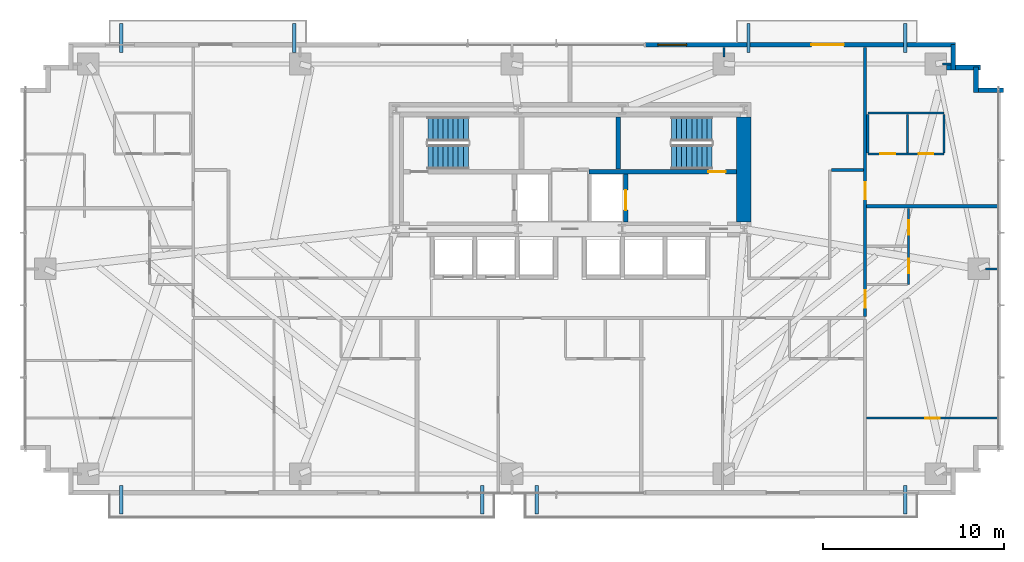
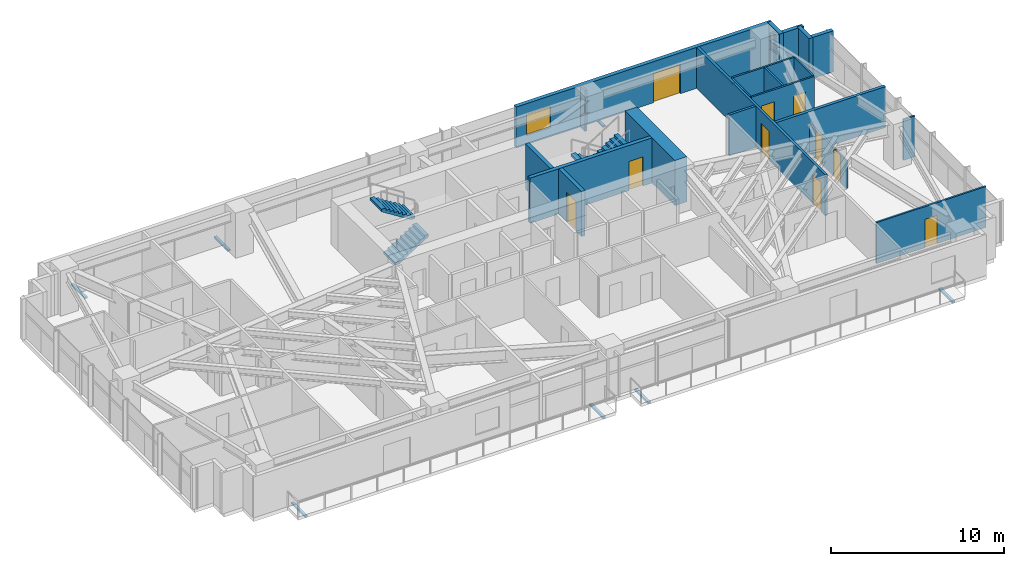
# One storey, part 22 of 25: 22 walls, 10 doors, 8 discrete accessories, 4 stair flights, 1 window, 11 openings, 2 elements without a shape of their own.
"""IFC4 building model written with IfcOpenShell, lengths in metres."""

from ifc_helpers import new_model, si_unit, direction, frame, frame_2d, origin, origin_2d, place, context, subcontext, project, spatial, polyline, rectangle, outline, extrude, source, transform, mapped, material, layer, layer_set, type_object, type_shapes, element, fill, aggregate, save


model = new_model("IFC4")

# Units and contexts
model_context = context("Model", 3, precision=1e-05, world=origin(), true_north=direction((0.0, 1.0)))
body_context = subcontext(model_context, "Body", "Model", "MODEL_VIEW")
ifc_project = project(units=[si_unit("LENGTHUNIT", "METRE"), si_unit("AREAUNIT", "SQUARE_METRE"), si_unit("VOLUMEUNIT", "CUBIC_METRE"), si_unit("PLANEANGLEUNIT", "RADIAN"), si_unit("MASSUNIT", "GRAM", prefix="KILO")], contexts=[model_context])

# Site, building, storey
site_placement = place(None, origin())
site = spatial("IfcSite", under=ifc_project, at=site_placement, CompositionType="ELEMENT")
building_placement = place(site_placement, origin())
building = spatial("IfcBuilding", under=site, at=building_placement, Name="Astriad Promenade Condominiums", CompositionType="ELEMENT")
storey_placement = place(building_placement, frame((0.0, 0.0, 64.60009765625)))
storey = spatial("IfcBuildingStorey", under=building, at=storey_placement, Name="L18", CompositionType="ELEMENT", Elevation=64.60009765625)

# Wall
ifc_material_1 = material(Name="Concrete C80/95", Category="concrete")
ifc_layer_1 = layer(ifc_material_1, 0.800048828125)
ifc_layer_set_1 = layer_set([ifc_layer_1], Name="Concrete C80/95")
wall_type_1 = type_object("IfcWallType", Name="CW-SHEAR-800", PredefinedType="SHEAR", material=ifc_layer_set_1)
wall_1_placement = place(storey_placement, frame((45.60009765625, 17.802001953125, 0.0), z_axis=(0.0, 0.0, 1.0), x_axis=(0.0, 1.0, 0.0)))
element("IfcWall", 1, at=wall_1_placement, inside=storey, type_object=wall_type_1, Name="CW-CORE-E-L18", PredefinedType="SHEAR", context=body_context, shape_type="SweptSolid", body=[
    extrude(rectangle(XDim=5.7958984375, YDim=0.800048828125, at=frame_2d((2.89794921875, 0.0))), origin(), (0.0, 0.0, 1.0), 3.199951171875),
])

# Wall, opening, door
ifc_material_2 = material(Name="Concrete C50/60", Category="concrete")
ifc_layer_2 = layer(ifc_material_2, 0.25)
ifc_layer_set_2 = layer_set([ifc_layer_2], Name="Concrete C50/60")
wall_type_2 = type_object("IfcWallType", Name="WALL-CORE-INT-250", PredefinedType="SOLIDWALL", material=ifc_layer_set_2)
wall_2_placement = place(storey_placement, frame((37.050048828125, 20.574951171875, 0.0), z_axis=(0.0, 0.0, 1.0), x_axis=(1.0, 0.0, 0.0)))
wall_2 = element("IfcWall", 2, at=wall_2_placement, inside=storey, type_object=wall_type_2, Name="CW-INT-H2-L18", PredefinedType="SOLIDWALL", context=body_context, shape_type="SweptSolid", body=[
    extrude(rectangle(XDim=8.14794921875, YDim=0.25, at=frame_2d((4.073974609375, 0.0))), origin(), (0.0, 0.0, 1.0), 3.199951171875),
])
opening_1_placement = place(wall_2_placement, frame((6.60009765625, 0.0, 0.0)))
opening_1 = element("IfcOpeningElement", 3, at=opening_1_placement, cuts=wall_2, Name="Opening FD90-ST-095", PredefinedType="OPENING", context=body_context, shape_type="SweptSolid", body=[
    extrude(rectangle(XDim=0.949951171875, YDim=2.06005859375, at=frame_2d((0.47509765625, 1.030029296875))), frame((0.0, 0.135009765625, 0.0), z_axis=(0.0, -1.0, 0.0), x_axis=(1.0, 0.0, 0.0)), (0.0, 0.0, 1.0), 0.27001953125),
])
ifc_material_3 = material(Name="Fire-Rated Hollow Metal Stair Door")
door_type_1 = type_object("IfcDoorType", Name="FD90-ST-095", OperationType="NOTDEFINED", PredefinedType="DOOR", material=ifc_material_3)
shared_shape_1 = source(origin(), body_context, "Body", "SweptSolid", [
    extrude(rectangle(XDim=0.949951171875, YDim=2.06005859375, at=frame_2d((0.47509765625, 1.030029296875))), frame((0.0, 0.02490234375, 0.0), z_axis=(0.0, -1.0, 0.0), x_axis=(1.0, 0.0, 0.0)), (0.0, 0.0, 1.0), 0.050048828125),
])
type_shapes(door_type_1, [shared_shape_1])
door_1_placement = place(opening_1_placement, origin())
door_1 = element("IfcDoor", 4, at=door_1_placement, inside=storey, type_object=door_type_1, Name="D-ST2-L18", OperationType="SINGLE_SWING_LEFT", OverallHeight=2.06005859375, OverallWidth=0.949951171875, PredefinedType="DOOR", context=body_context, shape_type="MappedRepresentation", body=[
    mapped(shared_shape_1, transform((0.0, 0.0, 0.0), scale=1.0)),
])
fill(opening_1, door_1)

# Wall
wall_3_placement = place(storey_placement, frame((38.675048828125, 20.701904296875, 0.0), z_axis=(0.0, 0.0, 1.0), x_axis=(0.0, 1.0, 0.0)))
element("IfcWall", 5, at=wall_3_placement, inside=storey, type_object=wall_type_2, Name="CW-ST2-W-L18", PredefinedType="SOLIDWALL", context=body_context, shape_type="SweptSolid", body=[
    extrude(rectangle(XDim=2.89599609375, YDim=0.25, at=frame_2d((1.447998046875, 0.0))), origin(), (0.0, 0.0, 1.0), 3.199951171875),
])

# Wall, opening, door
wall_4_placement = place(storey_placement, frame((39.074951171875, 17.802001953125, 0.0), z_axis=(0.0, 0.0, 1.0), x_axis=(0.0, 1.0, 0.0)))
wall_4 = element("IfcWall", 6, at=wall_4_placement, inside=storey, type_object=wall_type_2, Name="CW-FFL2-E-L18", PredefinedType="SOLIDWALL", context=body_context, shape_type="SweptSolid", body=[
    extrude(rectangle(XDim=2.64599609375, YDim=0.25, at=frame_2d((1.322998046875, 0.0))), origin(), (0.0, 0.0, 1.0), 3.199951171875),
])
opening_2_placement = place(wall_4_placement, frame((0.64794921875, 0.0, 0.0)))
opening_2 = element("IfcOpeningElement", 7, at=opening_2_placement, cuts=wall_4, Name="Opening LD-FFL-1122", PredefinedType="OPENING", context=body_context, shape_type="SweptSolid", body=[
    extrude(rectangle(XDim=1.10009765625, YDim=2.080078125, at=frame_2d((0.550048828125, 1.0400390625))), frame((0.0, 0.135009765625, 0.0), z_axis=(0.0, -1.0, 0.0), x_axis=(1.0, 0.0, 0.0)), (0.0, 0.0, 1.0), 0.27001953125),
])
ifc_material_4 = material(Name="Brushed Stainless Steel Fire Elevator Landing Door", Category="steel")
door_type_2 = type_object("IfcDoorType", Name="LD-FFL-1122", OperationType="NOTDEFINED", PredefinedType="DOOR", material=ifc_material_4)
shared_shape_2 = source(origin(), body_context, "Body", "SweptSolid", [
    extrude(rectangle(XDim=1.10009765625, YDim=2.080078125, at=frame_2d((0.550048828125, 1.0400390625))), frame((0.0, 0.02490234375, 0.0), z_axis=(0.0, -1.0, 0.0), x_axis=(1.0, 0.0, 0.0)), (0.0, 0.0, 1.0), 0.050048828125),
])
type_shapes(door_type_2, [shared_shape_2])
door_2_placement = place(opening_2_placement, origin())
door_2 = element("IfcDoor", 8, at=door_2_placement, inside=storey, type_object=door_type_2, Name="Elevator Landing Door FFL-2 (L18)", OperationType="SLIDING_TO_RIGHT", OverallHeight=2.080078125, OverallWidth=1.10009765625, PredefinedType="DOOR", context=body_context, shape_type="MappedRepresentation", body=[
    mapped(shared_shape_2, transform((0.0, 0.0, 0.0), scale=1.0)),
])
fill(opening_2, door_2)

# Wall, openings, doors
ifc_material_5 = material(Name="Fire-Rated Gypsum Partition")
ifc_layer_3 = layer(ifc_material_5, 0.159912109375)
ifc_layer_set_3 = layer_set([ifc_layer_3], Name="Fire-Rated Gypsum Partition")
wall_type_3 = type_object("IfcWallType", Name="WALL-CORR-160", PredefinedType="PARTITIONING", material=ifc_layer_set_3)
wall_5_placement = place(storey_placement, frame((52.300048828125, 12.572021484375, 0.0), z_axis=(0.0, 0.0, 1.0), x_axis=(0.0, 1.0, 0.0)))
wall_5 = element("IfcWall", 9, at=wall_5_placement, inside=storey, type_object=wall_type_3, Name="PT-COR-E-L18-S2", PredefinedType="PARTITIONING", context=body_context, shape_type="SweptSolid", body=[
    extrude(rectangle(XDim=14.865966796875, YDim=0.159912109375, at=frame_2d((7.43310546875, 0.0))), origin(), (0.0, 0.0, 1.0), 2.89990234375),
])
opening_3_placement = place(wall_5_placement, frame((0.492919921875, 0.0, 0.0)))
opening_3 = element("IfcOpeningElement", 10, at=opening_3_placement, cuts=wall_5, Name="Opening FD60-APT-095", PredefinedType="OPENING", context=body_context, shape_type="SweptSolid", body=[
    extrude(rectangle(XDim=0.949951171875, YDim=2.06005859375, at=frame_2d((0.47509765625, 1.030029296875))), frame((0.0, 0.08984375, 0.0), z_axis=(0.0, -1.0, 0.0), x_axis=(1.0, 0.0, 0.0)), (0.0, 0.0, 1.0), 0.179931640625),
])
opening_4_placement = place(wall_5_placement, frame((6.470947265625, 0.0, 0.0)))
opening_4 = element("IfcOpeningElement", 11, at=opening_4_placement, cuts=wall_5, Name="Opening FD60-APT-095", PredefinedType="OPENING", context=body_context, shape_type="SweptSolid", body=[
    extrude(rectangle(XDim=0.949951171875, YDim=2.06005859375, at=frame_2d((0.47509765625, 1.030029296875))), frame((0.0, 0.08984375, 0.0), z_axis=(0.0, -1.0, 0.0), x_axis=(1.0, 0.0, 0.0)), (0.0, 0.0, 1.0), 0.179931640625),
])
ifc_material_6 = material(Name="Solid-Core Acoustic Timber Residence Entry Door", Category="wood")
door_type_3 = type_object("IfcDoorType", Name="FD60-APT-095", OperationType="NOTDEFINED", PredefinedType="DOOR", material=ifc_material_6)
shared_shape_3 = source(origin(), body_context, "Body", "SweptSolid", [
    extrude(rectangle(XDim=0.949951171875, YDim=2.06005859375, at=frame_2d((0.47509765625, 1.030029296875))), frame((0.0, 0.02490234375, 0.0), z_axis=(0.0, -1.0, 0.0), x_axis=(1.0, 0.0, 0.0)), (0.0, 0.0, 1.0), 0.050048828125),
])
type_shapes(door_type_3, [shared_shape_3])
door_3_placement = place(opening_3_placement, origin())
door_3 = element("IfcDoor", 12, at=door_3_placement, inside=storey, type_object=door_type_3, Name="D-ENT-L18-E1", OperationType="SINGLE_SWING_RIGHT", OverallHeight=2.06005859375, OverallWidth=0.949951171875, PredefinedType="DOOR", context=body_context, shape_type="MappedRepresentation", body=[
    mapped(shared_shape_3, transform((0.0, 0.0, 0.0), scale=1.0)),
])
fill(opening_3, door_3)
door_4_placement = place(opening_4_placement, origin())
door_4 = element("IfcDoor", 13, at=door_4_placement, inside=storey, type_object=door_type_3, Name="D-ENT-L18-E2", OperationType="SINGLE_SWING_RIGHT", OverallHeight=2.06005859375, OverallWidth=0.949951171875, PredefinedType="DOOR", context=body_context, shape_type="MappedRepresentation", body=[
    mapped(shared_shape_3, transform((0.0, 0.0, 0.0), scale=1.0)),
])
fill(opening_4, door_4)

# Walls
wall_6_placement = place(storey_placement, frame((50.431884765625, 20.64990234375, 0.0), z_axis=(0.0, 0.0, 1.0), x_axis=(1.0, 0.0, 0.0)))
element("IfcWall", 14, at=wall_6_placement, inside=storey, type_object=wall_type_3, Name="PT-EALC-N-L18", PredefinedType="PARTITIONING", context=body_context, shape_type="SweptSolid", body=[
    extrude(rectangle(XDim=1.7861328125, YDim=0.159912109375, at=frame_2d((0.89306640625, 0.0))), origin(), (0.0, 0.0, 1.0), 2.89990234375),
])
ifc_material_7 = material(Name="Acoustic Double-Stud Gypsum Partition")
ifc_layer_4 = layer(ifc_material_7, 0.199951171875)
ifc_layer_set_4 = layer_set([ifc_layer_4], Name="Acoustic Double-Stud Gypsum Partition")
wall_type_4 = type_object("IfcWallType", Name="WALL-DEMISING-200", PredefinedType="PARTITIONING", material=ifc_layer_set_4)
wall_7_placement = place(storey_placement, frame((52.382080078125, 18.64990234375, 0.0), z_axis=(0.0, 0.0, 1.0), x_axis=(1.0, 0.0, 0.0)))
element("IfcWall", 15, at=wall_7_placement, inside=storey, type_object=wall_type_4, Name="PT-DEM-EE-L18", PredefinedType="PARTITIONING", context=body_context, shape_type="SweptSolid", body=[
    extrude(rectangle(XDim=7.337890625, YDim=0.199951171875, at=frame_2d((3.6689453125, 0.0))), origin(), (0.0, 0.0, 1.0), 2.89990234375),
])

# Wall, openings, door, window
ifc_material_8 = material(Name="Precast concrete C50/60", Category="concrete")
ifc_layer_5 = layer(ifc_material_8, 0.260009765625)
ifc_layer_set_5 = layer_set([ifc_layer_5], Name="Precast concrete C50/60")
wall_type_5 = type_object("IfcWallType", Name="WALL-EXT-TWR-260", PredefinedType="STANDARD", material=ifc_layer_set_5)
wall_8_placement = place(storey_placement, frame((40.14990234375, 27.570068359375, 0.0), z_axis=(0.0, 0.0, 1.0), x_axis=(1.0, 0.0, 0.0)))
wall_8 = element("IfcWall", 16, at=wall_8_placement, inside=storey, type_object=wall_type_5, Name="W-EXT-L18-N2", PredefinedType="STANDARD", context=body_context, shape_type="SweptSolid", body=[
    extrude(rectangle(XDim=17.150146484375, YDim=0.260009765625, at=frame_2d((8.5751953125, 0.0))), origin(), (0.0, 0.0, 1.0), 2.89990234375),
])
opening_5_placement = place(wall_8_placement, frame((9.179931640625, 0.0, 0.0)))
opening_5 = element("IfcOpeningElement", 17, at=opening_5_placement, cuts=wall_8, Name="Opening BD-1822-SLD", PredefinedType="OPENING", context=body_context, shape_type="SweptSolid", body=[
    extrude(rectangle(XDim=1.800048828125, YDim=2.06005859375, at=frame_2d((0.89990234375, 1.030029296875))), frame((0.0, 0.139892578125, 0.0), z_axis=(0.0, -1.0, 0.0), x_axis=(1.0, 0.0, 0.0)), (0.0, 0.0, 1.0), 0.280029296875),
])
opening_6_placement = place(wall_8_placement, frame((0.699951171875, 0.0, 0.64990234375)))
opening_6 = element("IfcOpeningElement", 18, at=opening_6_placement, cuts=wall_8, Name="Opening WIN-TWR-1620", PredefinedType="OPENING", context=body_context, shape_type="SweptSolid", body=[
    extrude(rectangle(XDim=1.60009765625, YDim=1.5, at=frame_2d((0.800048828125, 0.75))), frame((0.0, 0.139892578125, 0.0), z_axis=(0.0, -1.0, 0.0), x_axis=(1.0, 0.0, 0.0)), (0.0, 0.0, 1.0), 0.280029296875),
])
ifc_material_9 = material(Name="Thermally Broken Aluminium Sliding Balcony Door", Category="aluminium")
door_type_4 = type_object("IfcDoorType", Name="BD-1822-SLD", OperationType="NOTDEFINED", PredefinedType="DOOR", material=ifc_material_9)
shared_shape_4 = source(origin(), body_context, "Body", "SweptSolid", [
    extrude(rectangle(XDim=1.800048828125, YDim=2.06005859375, at=frame_2d((0.89990234375, 1.030029296875))), frame((0.0, 0.02490234375, 0.0), z_axis=(0.0, -1.0, 0.0), x_axis=(1.0, 0.0, 0.0)), (0.0, 0.0, 1.0), 0.050048828125),
])
type_shapes(door_type_4, [shared_shape_4])
door_5_placement = place(opening_5_placement, origin())
door_5 = element("IfcDoor", 19, at=door_5_placement, inside=storey, type_object=door_type_4, Name="BD-L18-NE", OperationType="SLIDING_TO_RIGHT", OverallHeight=2.06005859375, OverallWidth=1.800048828125, PredefinedType="DOOR", context=body_context, shape_type="MappedRepresentation", body=[
    mapped(shared_shape_4, transform((0.0, 0.0, 0.0), scale=1.0)),
])
fill(opening_5, door_5)
ifc_material_10 = material(Name="Dark Tinted Triple-Glazed Aluminium Window", Category="aluminium")
window_type = type_object("IfcWindowType", Name="WIN-TWR-1620", PartitioningType="SINGLE_PANEL", PredefinedType="WINDOW", material=ifc_material_10)
shared_shape_5 = source(origin(), body_context, "Body", "SweptSolid", [
    extrude(rectangle(XDim=1.60009765625, YDim=1.5, at=frame_2d((0.800048828125, 0.75))), frame((0.0, 0.030029296875, 0.0), z_axis=(0.0, -1.0, 0.0), x_axis=(1.0, 0.0, 0.0)), (0.0, 0.0, 1.0), 0.06005859375),
])
type_shapes(window_type, [shared_shape_5])
window_placement = place(opening_6_placement, origin())
window = element("IfcWindow", 20, at=window_placement, inside=storey, type_object=window_type, Name="WIN-L18-NE", OverallHeight=1.5, OverallWidth=1.60009765625, PartitioningType="SINGLE_PANEL", PredefinedType="WINDOW", context=body_context, shape_type="MappedRepresentation", body=[
    mapped(shared_shape_5, transform((0.0, 0.0, 0.0), scale=1.0)),
])
fill(opening_6, window)

# Walls
wall_9_placement = place(storey_placement, frame((57.169921875, 27.5849609375, 0.0), z_axis=(0.0, 0.0, 1.0), x_axis=(0.0, -1.0, 0.0)))
element("IfcWall", 21, at=wall_9_placement, inside=storey, type_object=wall_type_5, Name="W-SER-L18-09", PredefinedType="STANDARD", context=body_context, shape_type="SweptSolid", body=[
    extrude(rectangle(XDim=1.39501953125, YDim=0.260009765625, at=frame_2d((0.697509765625, 0.0))), origin(), (0.0, 0.0, 1.0), 2.89990234375),
])
wall_10_placement = place(storey_placement, frame((56.802001953125, 26.320068359375, 0.0), z_axis=(0.0, 0.0, 1.0), x_axis=(1.0, 0.0, 0.0)))
element("IfcWall", 22, at=wall_10_placement, inside=storey, type_object=wall_type_5, Name="W-SER-L18-10", PredefinedType="STANDARD", context=body_context, shape_type="SweptSolid", body=[
    extrude(rectangle(XDim=1.8779296875, YDim=0.260009765625, at=frame_2d((0.93896484375, 0.0))), origin(), (0.0, 0.0, 1.0), 2.89990234375),
])
for number, where, z_axis, x_axis, name in (
    (23, (58.419921875, 26.3349609375, 0.0), (0.0, 0.0, 1.0), (0.0, -1.0, 0.0), "W-SER-L18-11"),
    (24, (58.534912109375, 25.070068359375, 0.0), (0.0, 0.0, 1.0), (1.0, 0.0, 0.0), "W-SER-L18-12"),
):
    element("IfcWall", number, at=place(storey_placement, frame(where, z_axis=z_axis, x_axis=x_axis)), inside=storey, type_object=wall_type_5, Name=name, PredefinedType="STANDARD", context=body_context, shape_type="SweptSolid", body=[
        extrude(rectangle(XDim=1.39501953125, YDim=0.260009765625, at=frame_2d((0.697509765625, 0.0))), origin(), (0.0, 0.0, 1.0), 2.89990234375),
    ])

# Wall, openings, doors
ifc_material_11 = material(Name="Acoustic Metal-Stud Gypsum Partition")
ifc_layer_6 = layer(ifc_material_11, 0.1201171875)
ifc_layer_set_6 = layer_set([ifc_layer_6], Name="Acoustic Metal-Stud Gypsum Partition")
wall_type_6 = type_object("IfcWallType", Name="WALL-PART-120", PredefinedType="PARTITIONING", material=ifc_layer_set_6)
wall_11_placement = place(storey_placement, frame((54.699951171875, 14.340087890625, 0.0), z_axis=(0.0, 0.0, 1.0), x_axis=(0.0, 1.0, 0.0)))
wall_11 = element("IfcWall", 25, at=wall_11_placement, inside=storey, type_object=wall_type_6, Name="PT-L18-E1-PV", PredefinedType="PARTITIONING", context=body_context, shape_type="SweptSolid", body=[
    extrude(rectangle(XDim=4.2080078125, YDim=0.1201171875, at=frame_2d((2.10400390625, 0.0))), origin(), (0.0, 0.0, 1.0), 2.0048828125),
])
opening_7_placement = place(wall_11_placement, frame((0.6279296875, 0.0, 0.0)))
opening_7 = element("IfcOpeningElement", 26, at=opening_7_placement, cuts=wall_11, Name="Opening D-ULOW-080", PredefinedType="OPENING", context=body_context, shape_type="SweptSolid", body=[
    extrude(rectangle(XDim=0.800048828125, YDim=2.0, at=frame_2d((0.39990234375, 1.0))), frame((0.0, 0.070068359375, 0.0), z_axis=(0.0, -1.0, 0.0), x_axis=(1.0, 0.0, 0.0)), (0.0, 0.0, 1.0), 0.14013671875),
])
opening_8_placement = place(wall_11_placement, frame((2.758056640625, 0.0, 0.0)))
opening_8 = element("IfcOpeningElement", 27, at=opening_8_placement, cuts=wall_11, Name="Opening D-ULOW-080", PredefinedType="OPENING", context=body_context, shape_type="SweptSolid", body=[
    extrude(rectangle(XDim=0.800048828125, YDim=2.0, at=frame_2d((0.39990234375, 1.0))), frame((0.0, 0.070068359375, 0.0), z_axis=(0.0, -1.0, 0.0), x_axis=(1.0, 0.0, 0.0)), (0.0, 0.0, 1.0), 0.14013671875),
])
ifc_material_12 = material(Name="Painted Timber Low-Headroom Door", Category="wood")
door_type_5 = type_object("IfcDoorType", Name="D-ULOW-080", OperationType="NOTDEFINED", PredefinedType="DOOR", material=ifc_material_12)
shared_shape_6 = source(origin(), body_context, "Body", "SweptSolid", [
    extrude(rectangle(XDim=0.800048828125, YDim=2.0, at=frame_2d((0.39990234375, 1.0))), frame((0.0, 0.02490234375, 0.0), z_axis=(0.0, -1.0, 0.0), x_axis=(1.0, 0.0, 0.0)), (0.0, 0.0, 1.0), 0.050048828125),
])
type_shapes(door_type_5, [shared_shape_6])
door_6_placement = place(opening_7_placement, origin())
door_6 = element("IfcDoor", 28, at=door_6_placement, inside=storey, type_object=door_type_5, Name="D-KIT-L18-E1", OperationType="SINGLE_SWING_LEFT", OverallHeight=2.0, OverallWidth=0.800048828125, PredefinedType="DOOR", context=body_context, shape_type="MappedRepresentation", body=[
    mapped(shared_shape_6, transform((0.0, 0.0, 0.0), scale=1.0)),
])
fill(opening_7, door_6)
door_7_placement = place(opening_8_placement, origin())
door_7 = element("IfcDoor", 29, at=door_7_placement, inside=storey, type_object=door_type_5, Name="D-BTH-L18-E1", OperationType="SINGLE_SWING_RIGHT", OverallHeight=2.0, OverallWidth=0.800048828125, PredefinedType="DOOR", context=body_context, shape_type="MappedRepresentation", body=[
    mapped(shared_shape_6, transform((0.0, 0.0, 0.0), scale=1.0)),
])
fill(opening_8, door_7)

# Wall, opening, door
wall_12_placement = place(storey_placement, frame((52.382080078125, 6.9599609375, 0.0), z_axis=(0.0, 0.0, 1.0), x_axis=(1.0, 0.0, 0.0)))
wall_12 = element("IfcWall", 30, at=wall_12_placement, inside=storey, type_object=wall_type_6, Name="PT-L18-E1-WDS1", PredefinedType="PARTITIONING", context=body_context, shape_type="SweptSolid", body=[
    extrude(rectangle(XDim=7.337890625, YDim=0.1201171875, at=frame_2d((3.6689453125, 0.0))), origin(), (0.0, 0.0, 1.0), 2.89990234375),
])
opening_9_placement = place(wall_12_placement, frame((3.2529296875, 0.0, 0.0)))
opening_9 = element("IfcOpeningElement", 31, at=opening_9_placement, cuts=wall_12, Name="Opening D-ULOW-080", PredefinedType="OPENING", context=body_context, shape_type="SweptSolid", body=[
    extrude(rectangle(XDim=0.800048828125, YDim=2.0, at=frame_2d((0.39990234375, 1.0))), frame((0.0, 0.070068359375, 0.0), z_axis=(0.0, -1.0, 0.0), x_axis=(1.0, 0.0, 0.0)), (0.0, 0.0, 1.0), 0.14013671875),
])
door_8_placement = place(opening_9_placement, origin())
door_8 = element("IfcDoor", 32, at=door_8_placement, inside=storey, type_object=door_type_5, Name="D-WDS1-L18-E1", OperationType="SINGLE_SWING_LEFT", OverallHeight=2.0, OverallWidth=0.800048828125, PredefinedType="DOOR", context=body_context, shape_type="MappedRepresentation", body=[
    mapped(shared_shape_6, transform((0.0, 0.0, 0.0), scale=1.0)),
])
fill(opening_9, door_8)

# Wall, openings, doors
wall_13_placement = place(storey_placement, frame((52.449951171875, 21.550048828125, 0.0), z_axis=(0.0, 0.0, 1.0), x_axis=(1.0, 0.0, 0.0)))
wall_13 = element("IfcWall", 33, at=wall_13_placement, inside=storey, type_object=wall_type_6, Name="PT-L18-E2-PH", PredefinedType="PARTITIONING", context=body_context, shape_type="SweptSolid", body=[
    extrude(rectangle(XDim=4.199951171875, YDim=0.1201171875, at=frame_2d((2.10009765625, 0.0))), origin(), (0.0, 0.0, 1.0), 2.89990234375),
])
opening_10_placement = place(wall_13_placement, frame((0.675048828125, 0.0, 0.0)))
opening_10 = element("IfcOpeningElement", 34, at=opening_10_placement, cuts=wall_13, Name="Opening D-INT-085", PredefinedType="OPENING", context=body_context, shape_type="SweptSolid", body=[
    extrude(rectangle(XDim=0.85009765625, YDim=2.050048828125, at=frame_2d((0.425048828125, 1.02490234375))), frame((0.0, 0.070068359375, 0.0), z_axis=(0.0, -1.0, 0.0), x_axis=(1.0, 0.0, 0.0)), (0.0, 0.0, 1.0), 0.14013671875),
])
opening_11_placement = place(wall_13_placement, frame((2.800048828125, 0.0, 0.0)))
opening_11 = element("IfcOpeningElement", 35, at=opening_11_placement, cuts=wall_13, Name="Opening D-ULOW-080", PredefinedType="OPENING", context=body_context, shape_type="SweptSolid", body=[
    extrude(rectangle(XDim=0.800048828125, YDim=2.0, at=frame_2d((0.39990234375, 1.0))), frame((0.0, 0.070068359375, 0.0), z_axis=(0.0, -1.0, 0.0), x_axis=(1.0, 0.0, 0.0)), (0.0, 0.0, 1.0), 0.14013671875),
])
ifc_material_13 = material(Name="Painted Solid-Core Timber Room Door", Category="wood")
door_type_6 = type_object("IfcDoorType", Name="D-INT-085", OperationType="NOTDEFINED", PredefinedType="DOOR", material=ifc_material_13)
shared_shape_7 = source(origin(), body_context, "Body", "SweptSolid", [
    extrude(rectangle(XDim=0.85009765625, YDim=2.050048828125, at=frame_2d((0.425048828125, 1.02490234375))), frame((0.0, 0.02490234375, 0.0), z_axis=(0.0, -1.0, 0.0), x_axis=(1.0, 0.0, 0.0)), (0.0, 0.0, 1.0), 0.050048828125),
])
type_shapes(door_type_6, [shared_shape_7])
door_9_placement = place(opening_10_placement, origin())
door_9 = element("IfcDoor", 36, at=door_9_placement, inside=storey, type_object=door_type_6, Name="D-KIT-L18-E2", OperationType="SINGLE_SWING_LEFT", OverallHeight=2.050048828125, OverallWidth=0.85009765625, PredefinedType="DOOR", context=body_context, shape_type="MappedRepresentation", body=[
    mapped(shared_shape_7, transform((0.0, 0.0, 0.0), scale=1.0)),
])
fill(opening_10, door_9)
door_10_placement = place(opening_11_placement, origin())
door_10 = element("IfcDoor", 37, at=door_10_placement, inside=storey, type_object=door_type_5, Name="D-BTH-L18-E2", OperationType="SINGLE_SWING_RIGHT", OverallHeight=2.0, OverallWidth=0.800048828125, PredefinedType="DOOR", context=body_context, shape_type="MappedRepresentation", body=[
    mapped(shared_shape_6, transform((0.0, 0.0, 0.0), scale=1.0)),
])
fill(opening_11, door_10)

# Walls
wall_14_placement = place(storey_placement, frame((52.449951171875, 23.800048828125, 0.0), z_axis=(0.0, 0.0, 1.0), x_axis=(1.0, 0.0, 0.0)))
element("IfcWall", 38, at=wall_14_placement, inside=storey, type_object=wall_type_6, Name="PT-L18-E2-PHN", PredefinedType="PARTITIONING", context=body_context, shape_type="SweptSolid", body=[
    extrude(rectangle(XDim=4.199951171875, YDim=0.1201171875, at=frame_2d((2.10009765625, 0.0))), origin(), (0.0, 0.0, 1.0), 2.89990234375),
])
for number, where, z_axis, x_axis, name in (
    (39, (52.449951171875, 21.612060546875, 0.0), (0.0, 0.0, 1.0), (0.0, 1.0, 0.0), "PT-L18-E2-PK1"),
    (40, (54.64990234375, 21.612060546875, 0.0), (0.0, 0.0, 1.0), (0.0, 1.0, 0.0), "PT-L18-E2-PK2"),
    (41, (56.64990234375, 21.612060546875, 0.0), (0.0, 0.0, 1.0), (0.0, 1.0, 0.0), "PT-L18-E2-PK3"),
):
    element("IfcWall", number, at=place(storey_placement, frame(where, z_axis=z_axis, x_axis=x_axis)), inside=storey, type_object=wall_type_6, Name=name, PredefinedType="PARTITIONING", context=body_context, shape_type="SweptSolid", body=[
        extrude(rectangle(XDim=2.1259765625, YDim=0.1201171875, at=frame_2d((1.06298828125, 0.0))), origin(), (0.0, 0.0, 1.0), 2.89990234375),
    ])
wall_15_placement = place(storey_placement, frame((44.5, 26.89990234375, 0.0), z_axis=(0.0, 0.0, 1.0), x_axis=(0.0, 1.0, 0.0)))
element("IfcWall", 42, at=wall_15_placement, inside=storey, type_object=wall_type_6, Name="PT-PIL-L18-PC09-16", PredefinedType="PARTITIONING", context=body_context, shape_type="SweptSolid", body=[
    extrude(rectangle(XDim=0.5380859375, YDim=0.1201171875, at=frame_2d((0.26904296875, 0.0))), origin(), (0.0, 0.0, 1.0), 2.89990234375),
])
wall_16_placement = place(storey_placement, frame((56.580078125, 26.52001953125, 0.0), z_axis=(0.0, 0.0, 1.0), x_axis=(1.0, 0.0, 0.0)))
element("IfcWall", 43, at=wall_16_placement, inside=storey, type_object=wall_type_6, Name="PT-PIL-L18-PC10-17", PredefinedType="PARTITIONING", context=body_context, shape_type="SweptSolid", body=[
    extrude(rectangle(XDim=0.4580078125, YDim=0.1201171875, at=frame_2d((0.22900390625, 0.0))), origin(), (0.0, 0.0, 1.0), 2.89990234375),
])
wall_17_placement = place(storey_placement, frame((58.9599609375, 15.199951171875, 0.0), z_axis=(0.0, 0.0, 1.0), x_axis=(1.0, 0.0, 0.0)))
element("IfcWall", 44, at=wall_17_placement, inside=storey, type_object=wall_type_6, Name="PT-PIL-L18-PC12-19", PredefinedType="PARTITIONING", context=body_context, shape_type="SweptSolid", body=[
    extrude(rectangle(XDim=0.760009765625, YDim=0.1201171875, at=frame_2d((0.3798828125, 0.0))), origin(), (0.0, 0.0, 1.0), 2.89990234375),
])

# Stair, stair flights
stair_type = type_object("IfcStairType", Name="STR-CORE-1350", PredefinedType="HALF_TURN_STAIR", material=ifc_material_2)
stair_1_placement = place(storey_placement, origin())
stair_1 = element("IfcStair", 45, at=stair_1_placement, inside=storey, type_object=stair_type, Name="L18 Enclosed Core Exit Stair ST-1", PredefinedType="HALF_TURN_STAIR")
stair_flight_type = type_object("IfcStairFlightType", Name="SFL-CORE-1350", PredefinedType="STRAIGHT", material=ifc_material_2)
shared_shape_8 = source(origin(), body_context, "Body", "SweptSolid", [
    extrude(outline(polyline([(0.0, 0.0), (0.0, 0.177734375), (0.280029296875, 0.177734375), (0.280029296875, 0.35546875), (0.56005859375, 0.35546875), (0.56005859375, 0.533447265625), (0.840087890625, 0.533447265625), (0.840087890625, 0.711181640625), (1.1201171875, 0.711181640625), (1.1201171875, 0.888916015625), (1.39990234375, 0.888916015625), (1.39990234375, 1.066650390625), (1.679931640625, 1.066650390625), (1.679931640625, 1.244384765625), (1.9599609375, 1.244384765625), (1.9599609375, 1.422119140625), (2.239990234375, 1.422119140625), (2.239990234375, 1.60009765625), (2.239990234375, 1.24462890625), (0.27978515625, 0.0), (0.0, 0.0)])), frame((0.0, 0.675048828125, 0.0), z_axis=(0.0, -1.0, 0.0), x_axis=(1.0, 0.0, 0.0)), (0.0, 0.0, 1.0), 1.35009765625),
])
type_shapes(stair_flight_type, [shared_shape_8])
stair_flight_1_placement = place(storey_placement, frame((28.14990234375, 21.375, 0.0), z_axis=(0.0, 0.0, 1.0), x_axis=(1.0, 0.0, 0.0)))
stair_flight_1 = element("IfcStairFlight", 46, at=stair_flight_1_placement, type_object=stair_flight_type, Name="ST-1 flight 1", NumberOfRisers=9, NumberOfTreads=8, PredefinedType="STRAIGHT", RiserHeight=0.177777778, TreadLength=0.28, context=body_context, shape_type="MappedRepresentation", body=[
    mapped(shared_shape_8, transform((0.0, 0.0, 0.0), scale=1.0)),
])
stair_flight_2_placement = place(storey_placement, frame((30.389892578125, 22.925048828125, 1.599853515625), z_axis=(0.0, 0.0, 1.0), x_axis=(-1.0, 0.0, 0.0)))
stair_flight_2 = element("IfcStairFlight", 47, at=stair_flight_2_placement, type_object=stair_flight_type, Name="ST-1 flight 2", NumberOfRisers=9, NumberOfTreads=8, PredefinedType="STRAIGHT", RiserHeight=0.177777778, TreadLength=0.28, context=body_context, shape_type="MappedRepresentation", body=[
    mapped(shared_shape_8, transform((0.0, 0.0, 0.0), scale=1.0)),
])
aggregate(stair_1, [stair_flight_1, stair_flight_2])

stair_2_placement = place(storey_placement, origin())
stair_2 = element("IfcStair", 48, at=stair_2_placement, inside=storey, type_object=stair_type, Name="L18 Enclosed Core Exit Stair ST-2", PredefinedType="HALF_TURN_STAIR")
stair_flight_3_placement = place(storey_placement, frame((43.85009765625, 22.925048828125, 0.0), z_axis=(0.0, 0.0, 1.0), x_axis=(-1.0, 0.0, 0.0)))
stair_flight_3 = element("IfcStairFlight", 49, at=stair_flight_3_placement, type_object=stair_flight_type, Name="ST-2 flight 1", NumberOfRisers=9, NumberOfTreads=8, PredefinedType="STRAIGHT", RiserHeight=0.177777778, TreadLength=0.28, context=body_context, shape_type="MappedRepresentation", body=[
    mapped(shared_shape_8, transform((0.0, 0.0, 0.0), scale=1.0)),
])
stair_flight_4_placement = place(storey_placement, frame((41.610107421875, 21.375, 1.599853515625), z_axis=(0.0, 0.0, 1.0), x_axis=(1.0, 0.0, 0.0)))
stair_flight_4 = element("IfcStairFlight", 50, at=stair_flight_4_placement, type_object=stair_flight_type, Name="ST-2 flight 2", NumberOfRisers=9, NumberOfTreads=8, PredefinedType="STRAIGHT", RiserHeight=0.177777778, TreadLength=0.28, context=body_context, shape_type="MappedRepresentation", body=[
    mapped(shared_shape_8, transform((0.0, 0.0, 0.0), scale=1.0)),
])
aggregate(stair_2, [stair_flight_3, stair_flight_4])

# Discrete accessories
ifc_material_14 = material(Name="Steel ASTM A572 Grade 50", Category="steel")
discrete_accessory_type = type_object("IfcDiscreteAccessoryType", Name="STEEL BALCONY OUTRIGGER BRACKET", PredefinedType="BRACKET", material=ifc_material_14)
shared_shape_9 = source(origin(), body_context, "Body", "SweptSolid", [
    extrude(rectangle(XDim=1.60009765625, YDim=0.179931640625, at=origin_2d()), origin(), (0.0, 0.0, 1.0), 0.1220703125),
])
type_shapes(discrete_accessory_type, [shared_shape_9])
for number, where, z_axis, x_axis, name in (
    (51, (11.222900390625, 2.449951171875, -0.340087890625), (0.0, 0.0, 1.0), (0.0, -1.0, 0.0), "Balcony Outrigger Bracket BAL-L18-SW-A"),
    (52, (31.156005859375, 2.449951171875, -0.340087890625), (0.0, 0.0, 1.0), (0.0, -1.0, 0.0), "Balcony Outrigger Bracket BAL-L18-SW-B"),
    (53, (34.172119140625, 2.449951171875, -0.340087890625), (0.0, 0.0, 1.0), (0.0, -1.0, 0.0), "Balcony Outrigger Bracket BAL-L18-SE-A"),
    (54, (54.513916015625, 2.449951171875, -0.340087890625), (0.0, 0.0, 1.0), (0.0, -1.0, 0.0), "Balcony Outrigger Bracket BAL-L18-SE-B"),
    (55, (11.222900390625, 27.949951171875, -0.340087890625), (0.0, 0.0, 1.0), (0.0, 1.0, 0.0), "Balcony Outrigger Bracket BAL-L18-NW-A"),
    (56, (20.780029296875, 27.949951171875, -0.340087890625), (0.0, 0.0, 1.0), (0.0, 1.0, 0.0), "Balcony Outrigger Bracket BAL-L18-NW-B"),
    (57, (45.860107421875, 27.949951171875, -0.340087890625), (0.0, 0.0, 1.0), (0.0, 1.0, 0.0), "Balcony Outrigger Bracket BAL-L18-NE-A"),
    (58, (54.513916015625, 27.949951171875, -0.340087890625), (0.0, 0.0, 1.0), (0.0, 1.0, 0.0), "Balcony Outrigger Bracket BAL-L18-NE-B"),
):
    element("IfcDiscreteAccessory", number, at=place(storey_placement, frame(where, z_axis=z_axis, x_axis=x_axis)), inside=storey, type_object=discrete_accessory_type, Name=name, PredefinedType="BRACKET", context=body_context, shape_type="MappedRepresentation", body=[
        mapped(shared_shape_9, transform((0.0, 0.0, 0.0), scale=1.0)),
    ])

save(model, "model.ifc")
